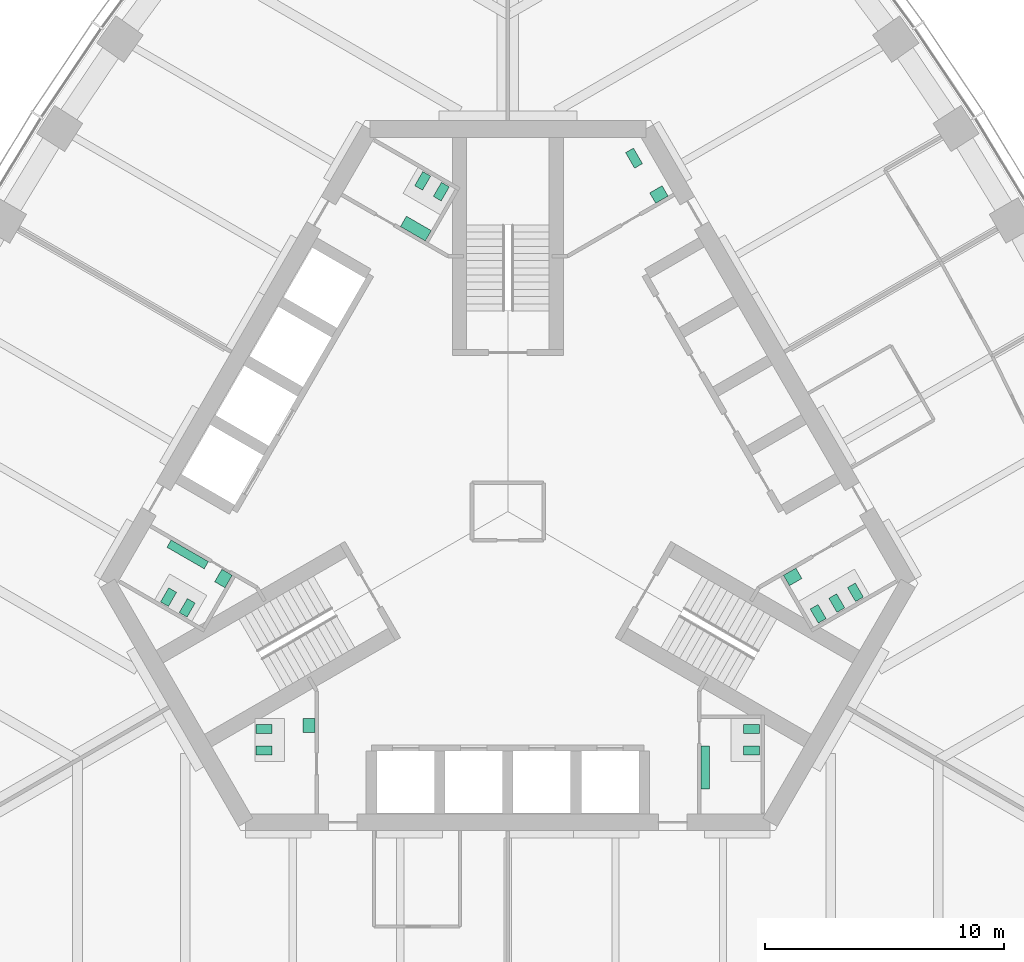
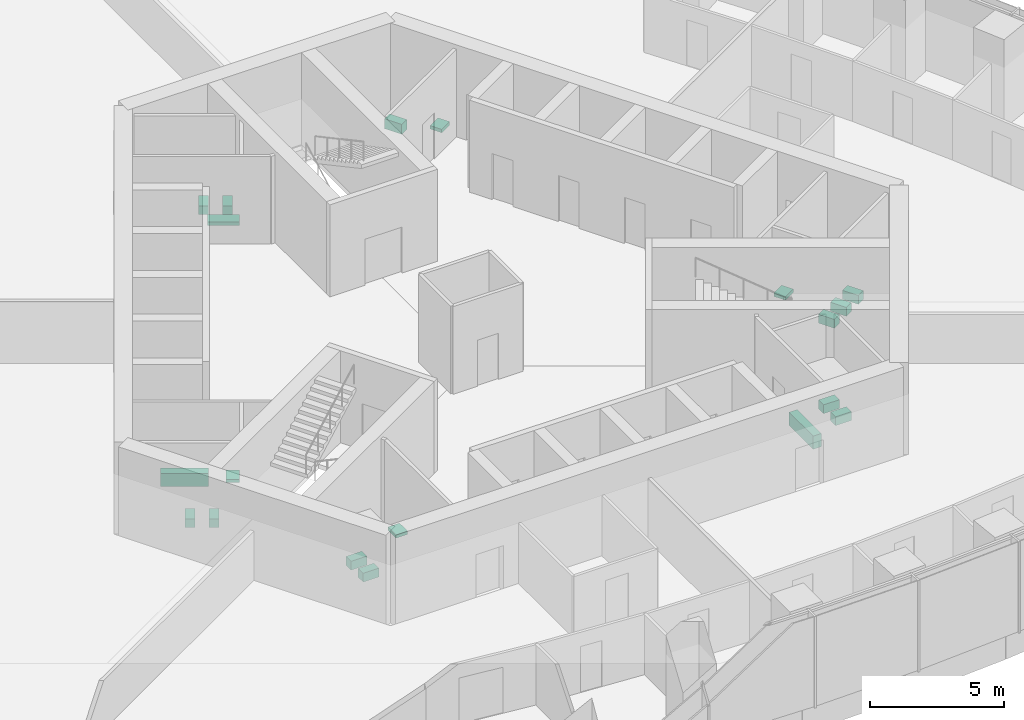
# One storey, part 17 of 18: 19 sanitary terminals.
"""IFC4 building model written with IfcOpenShell, lengths in metres."""

from ifc_helpers import new_model, si_unit, direction, frame, origin, place, context, subcontext, project, spatial, polyline, outline, extrude, material, type_object, element, save


model = new_model("IFC4")

# Units and contexts
model_context = context("Model", 3, precision=1e-05, world=origin(), true_north=direction((0.0, 1.0)))
body_context = subcontext(model_context, "Body", "Model", "MODEL_VIEW")
ifc_project = project(units=[si_unit("LENGTHUNIT", "METRE"), si_unit("AREAUNIT", "SQUARE_METRE"), si_unit("VOLUMEUNIT", "CUBIC_METRE"), si_unit("PLANEANGLEUNIT", "RADIAN"), si_unit("MASSUNIT", "GRAM", prefix="KILO")], contexts=[model_context])

# Site, building, storey
site_placement = place(None, origin())
site = spatial("IfcSite", under=ifc_project, at=site_placement, CompositionType="ELEMENT")
building_placement = place(site_placement, origin())
building = spatial("IfcBuilding", under=site, at=building_placement, Name="Trefoil Bronze Tower", CompositionType="ELEMENT")
storey_placement = place(building_placement, frame((0.0, 0.0, 252.699951171875)))
storey = spatial("IfcBuildingStorey", under=building, at=storey_placement, Name="L58", CompositionType="ELEMENT", Elevation=252.699951171875)

# Sanitary terminals
ifc_material_1 = material(Name="Vitreous china", Category="ceramic")
sanitary_terminal_type_1 = type_object("IfcSanitaryTerminalType", Name="Accessible WC pan", PredefinedType="TOILETPAN", material=ifc_material_1)
sanitary_terminal_1_placement = place(storey_placement, origin())
element("IfcSanitaryTerminal", 1, at=sanitary_terminal_1_placement, inside=storey, type_object=sanitary_terminal_type_1, Name="WC pan 1 Accessible WC L58", PredefinedType="TOILETPAN", context=body_context, shape_type="SweptSolid", body=[
    extrude(outline(polyline([(5.300537109375, 14.359130859375), (4.925537109375, 15.008544921875), (5.254638671875, 15.198486328125), (5.629638671875, 14.549072265625), (5.300537109375, 14.359130859375)])), origin(), (0.0, 0.0, 1.0), 0.449951171875),
])
ifc_material_2 = material(Name="Vitreous china", Category="ceramic")
sanitary_terminal_type_2 = type_object("IfcSanitaryTerminalType", Name="Accessible basin", PredefinedType="WASHHANDBASIN", material=ifc_material_2)
sanitary_terminal_2_placement = place(storey_placement, frame((0.0, 0.0, 0.650146484375)))
element("IfcSanitaryTerminal", 2, at=sanitary_terminal_2_placement, inside=storey, type_object=sanitary_terminal_type_2, Name="Wash basin Accessible WC L58", PredefinedType="WASHHANDBASIN", context=body_context, shape_type="SweptSolid", body=[
    extrude(outline(polyline([(6.181640625, 12.89306640625), (5.931640625, 13.326171875), (6.451171875, 13.626220703125), (6.701171875, 13.193115234375), (6.181640625, 12.89306640625)])), origin(), (0.0, 0.0, 1.0), 0.14990234375),
])
ifc_material_3 = material(Name="Vitreous china", Category="ceramic")
sanitary_terminal_type_3 = type_object("IfcSanitaryTerminalType", Name="Urinal range 3 urinals", PredefinedType="URINAL", material=ifc_material_3)
sanitary_terminal_3_placement = place(storey_placement, frame((0.0, 0.0, 0.400146484375)))
element("IfcSanitaryTerminal", 3, at=sanitary_terminal_3_placement, inside=storey, type_object=sanitary_terminal_type_3, Name="Urinal range WC (men) L58", PredefinedType="URINAL", context=body_context, shape_type="SweptSolid", body=[
    extrude(outline(polyline([(8.074951171875, -9.800048828125), (8.425048828125, -9.800048828125), (8.425048828125, -11.60009765625), (8.074951171875, -11.60009765625), (8.074951171875, -9.800048828125)])), origin(), (0.0, 0.0, 1.0), 0.599853515625),
])
sanitary_terminal_4_placement = place(storey_placement, frame((0.0, 0.0, 0.400146484375)))
element("IfcSanitaryTerminal", 4, at=sanitary_terminal_4_placement, inside=storey, type_object=sanitary_terminal_type_3, Name="Urinal range WC (men) L58", PredefinedType="URINAL", context=body_context, shape_type="SweptSolid", body=[
    extrude(outline(polyline([(-12.524658203125, -2.09326171875), (-12.699462890625, -2.396240234375), (-14.25830078125, -1.496337890625), (-14.08349609375, -1.193115234375), (-12.524658203125, -2.09326171875)])), origin(), (0.0, 0.0, 1.0), 0.599853515625),
])
ifc_material_4 = material(Name="Solid surface vanity", Category="plastic")
sanitary_terminal_type_4 = type_object("IfcSanitaryTerminalType", Name="Vanity unit 1 basins", PredefinedType="WASHHANDBASIN", material=ifc_material_4)
sanitary_terminal_5_placement = place(storey_placement, frame((0.0, 0.0, 0.75)))
element("IfcSanitaryTerminal", 5, at=sanitary_terminal_5_placement, inside=storey, type_object=sanitary_terminal_type_4, Name="Vanity unit WC (women) L58", PredefinedType="WASHHANDBASIN", context=body_context, shape_type="SweptSolid", body=[
    extrude(outline(polyline([(11.528564453125, -2.668212890625), (11.778564453125, -3.10107421875), (12.29833984375, -2.80126953125), (12.04833984375, -2.3681640625), (11.528564453125, -2.668212890625)])), origin(), (0.0, 0.0, 1.0), 0.150146484375),
])
sanitary_terminal_6_placement = place(storey_placement, frame((0.0, 0.0, 0.75)))
element("IfcSanitaryTerminal", 6, at=sanitary_terminal_6_placement, inside=storey, type_object=sanitary_terminal_type_4, Name="Vanity unit WC (men) L58", PredefinedType="WASHHANDBASIN", context=body_context, shape_type="SweptSolid", body=[
    extrude(outline(polyline([(-11.528564453125, -2.668212890625), (-11.82861328125, -3.187744140625), (-12.26171875, -2.937744140625), (-11.961669921875, -2.418212890625), (-11.528564453125, -2.668212890625)])), origin(), (0.0, 0.0, 1.0), 0.150146484375),
])
sanitary_terminal_7_placement = place(storey_placement, frame((0.0, 0.0, 0.75)))
element("IfcSanitaryTerminal", 7, at=sanitary_terminal_7_placement, inside=storey, type_object=sanitary_terminal_type_4, Name="Vanity unit WC (women) L58", PredefinedType="WASHHANDBASIN", context=body_context, shape_type="SweptSolid", body=[
    extrude(outline(polyline([(-8.074951171875, -8.64990234375), (-8.574951171875, -8.64990234375), (-8.574951171875, -9.25), (-8.074951171875, -9.25), (-8.074951171875, -8.64990234375)])), origin(), (0.0, 0.0, 1.0), 0.150146484375),
])
ifc_material_5 = material(Name="Solid surface vanity", Category="plastic")
sanitary_terminal_type_5 = type_object("IfcSanitaryTerminalType", Name="Vanity unit 2 basins", PredefinedType="WASHHANDBASIN", material=ifc_material_5)
sanitary_terminal_8_placement = place(storey_placement, frame((0.0, 0.0, 0.75)))
element("IfcSanitaryTerminal", 8, at=sanitary_terminal_8_placement, inside=storey, type_object=sanitary_terminal_type_5, Name="Vanity unit WC (women) L58", PredefinedType="WASHHANDBASIN", context=body_context, shape_type="SweptSolid", body=[
    extrude(outline(polyline([(-3.45361328125, 11.318115234375), (-3.20361328125, 11.751220703125), (-4.242919921875, 12.35107421875), (-4.492919921875, 11.918212890625), (-3.45361328125, 11.318115234375)])), origin(), (0.0, 0.0, 1.0), 0.150146484375),
])
ifc_material_6 = material(Name="Vitreous china", Category="ceramic")
sanitary_terminal_type_6 = type_object("IfcSanitaryTerminalType", Name="WC pan", PredefinedType="TOILETPAN", material=ifc_material_6)
sanitary_terminal_9_placement = place(storey_placement, origin())
element("IfcSanitaryTerminal", 9, at=sanitary_terminal_9_placement, inside=storey, type_object=sanitary_terminal_type_6, Name="WC pan 1 WC (men) L58", PredefinedType="TOILETPAN", context=body_context, shape_type="SweptSolid", body=[
    extrude(outline(polyline([(9.85498046875, -8.909912109375), (10.534912109375, -8.909912109375), (10.534912109375, -9.2900390625), (9.85498046875, -9.2900390625), (9.85498046875, -8.909912109375)])), origin(), (0.0, 0.0, 1.0), 0.400146484375),
])
sanitary_terminal_10_placement = place(storey_placement, origin())
element("IfcSanitaryTerminal", 10, at=sanitary_terminal_10_placement, inside=storey, type_object=sanitary_terminal_type_6, Name="WC pan 2 WC (men) L58", PredefinedType="TOILETPAN", context=body_context, shape_type="SweptSolid", body=[
    extrude(outline(polyline([(9.85498046875, -9.81005859375), (10.534912109375, -9.81005859375), (10.534912109375, -10.18994140625), (9.85498046875, -10.18994140625), (9.85498046875, -9.81005859375)])), origin(), (0.0, 0.0, 1.0), 0.400146484375),
])
sanitary_terminal_11_placement = place(storey_placement, origin())
element("IfcSanitaryTerminal", 11, at=sanitary_terminal_11_placement, inside=storey, type_object=sanitary_terminal_type_6, Name="WC pan 1 WC (women) L58", PredefinedType="TOILETPAN", context=body_context, shape_type="SweptSolid", body=[
    extrude(outline(polyline([(12.643798828125, -4.07958984375), (12.98388671875, -4.66845703125), (13.31298828125, -4.478515625), (12.972900390625, -3.8896484375), (12.643798828125, -4.07958984375)])), origin(), (0.0, 0.0, 1.0), 0.400146484375),
])
sanitary_terminal_12_placement = place(storey_placement, origin())
element("IfcSanitaryTerminal", 12, at=sanitary_terminal_12_placement, inside=storey, type_object=sanitary_terminal_type_6, Name="WC pan 2 WC (women) L58", PredefinedType="TOILETPAN", context=body_context, shape_type="SweptSolid", body=[
    extrude(outline(polyline([(13.423095703125, -3.629638671875), (13.76318359375, -4.218505859375), (14.09228515625, -4.028564453125), (13.752197265625, -3.439697265625), (13.423095703125, -3.629638671875)])), origin(), (0.0, 0.0, 1.0), 0.400146484375),
])
sanitary_terminal_13_placement = place(storey_placement, origin())
element("IfcSanitaryTerminal", 13, at=sanitary_terminal_13_placement, inside=storey, type_object=sanitary_terminal_type_6, Name="WC pan 3 WC (women) L58", PredefinedType="TOILETPAN", context=body_context, shape_type="SweptSolid", body=[
    extrude(outline(polyline([(14.20263671875, -3.1796875), (14.542724609375, -3.7685546875), (14.871826171875, -3.57861328125), (14.53173828125, -2.98974609375), (14.20263671875, -3.1796875)])), origin(), (0.0, 0.0, 1.0), 0.400146484375),
])
sanitary_terminal_14_placement = place(storey_placement, origin())
element("IfcSanitaryTerminal", 14, at=sanitary_terminal_14_placement, inside=storey, type_object=sanitary_terminal_type_6, Name="WC pan 1 WC (women) L58", PredefinedType="TOILETPAN", context=body_context, shape_type="SweptSolid", body=[
    extrude(outline(polyline([(-2.788818359375, 12.98974609375), (-2.44873046875, 13.57861328125), (-2.77783203125, 13.7685546875), (-3.117919921875, 13.1796875), (-2.788818359375, 12.98974609375)])), origin(), (0.0, 0.0, 1.0), 0.400146484375),
])
sanitary_terminal_15_placement = place(storey_placement, origin())
element("IfcSanitaryTerminal", 15, at=sanitary_terminal_15_placement, inside=storey, type_object=sanitary_terminal_type_6, Name="WC pan 2 WC (women) L58", PredefinedType="TOILETPAN", context=body_context, shape_type="SweptSolid", body=[
    extrude(outline(polyline([(-3.568115234375, 13.439697265625), (-3.228271484375, 14.028564453125), (-3.557373046875, 14.218505859375), (-3.897216796875, 13.629638671875), (-3.568115234375, 13.439697265625)])), origin(), (0.0, 0.0, 1.0), 0.400146484375),
])
sanitary_terminal_16_placement = place(storey_placement, origin())
element("IfcSanitaryTerminal", 16, at=sanitary_terminal_16_placement, inside=storey, type_object=sanitary_terminal_type_6, Name="WC pan 1 WC (men) L58", PredefinedType="TOILETPAN", context=body_context, shape_type="SweptSolid", body=[
    extrude(outline(polyline([(-13.076904296875, -3.82958984375), (-13.416748046875, -4.41845703125), (-13.745849609375, -4.228515625), (-13.406005859375, -3.6396484375), (-13.076904296875, -3.82958984375)])), origin(), (0.0, 0.0, 1.0), 0.400146484375),
])
sanitary_terminal_17_placement = place(storey_placement, origin())
element("IfcSanitaryTerminal", 17, at=sanitary_terminal_17_placement, inside=storey, type_object=sanitary_terminal_type_6, Name="WC pan 2 WC (men) L58", PredefinedType="TOILETPAN", context=body_context, shape_type="SweptSolid", body=[
    extrude(outline(polyline([(-13.856201171875, -3.379638671875), (-14.1962890625, -3.968505859375), (-14.525390625, -3.778564453125), (-14.185302734375, -3.189697265625), (-13.856201171875, -3.379638671875)])), origin(), (0.0, 0.0, 1.0), 0.400146484375),
])
sanitary_terminal_18_placement = place(storey_placement, origin())
element("IfcSanitaryTerminal", 18, at=sanitary_terminal_18_placement, inside=storey, type_object=sanitary_terminal_type_6, Name="WC pan 1 WC (women) L58", PredefinedType="TOILETPAN", context=body_context, shape_type="SweptSolid", body=[
    extrude(outline(polyline([(-9.85498046875, -8.909912109375), (-10.534912109375, -8.909912109375), (-10.534912109375, -9.2900390625), (-9.85498046875, -9.2900390625), (-9.85498046875, -8.909912109375)])), origin(), (0.0, 0.0, 1.0), 0.400146484375),
])
sanitary_terminal_19_placement = place(storey_placement, origin())
element("IfcSanitaryTerminal", 19, at=sanitary_terminal_19_placement, inside=storey, type_object=sanitary_terminal_type_6, Name="WC pan 2 WC (women) L58", PredefinedType="TOILETPAN", context=body_context, shape_type="SweptSolid", body=[
    extrude(outline(polyline([(-9.85498046875, -9.81005859375), (-10.534912109375, -9.81005859375), (-10.534912109375, -10.18994140625), (-9.85498046875, -10.18994140625), (-9.85498046875, -9.81005859375)])), origin(), (0.0, 0.0, 1.0), 0.400146484375),
])

save(model, "model.ifc")
